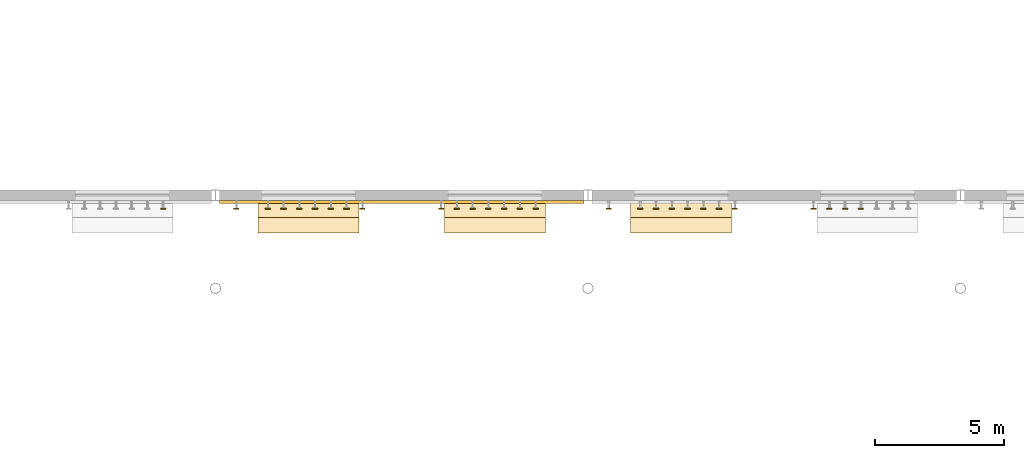
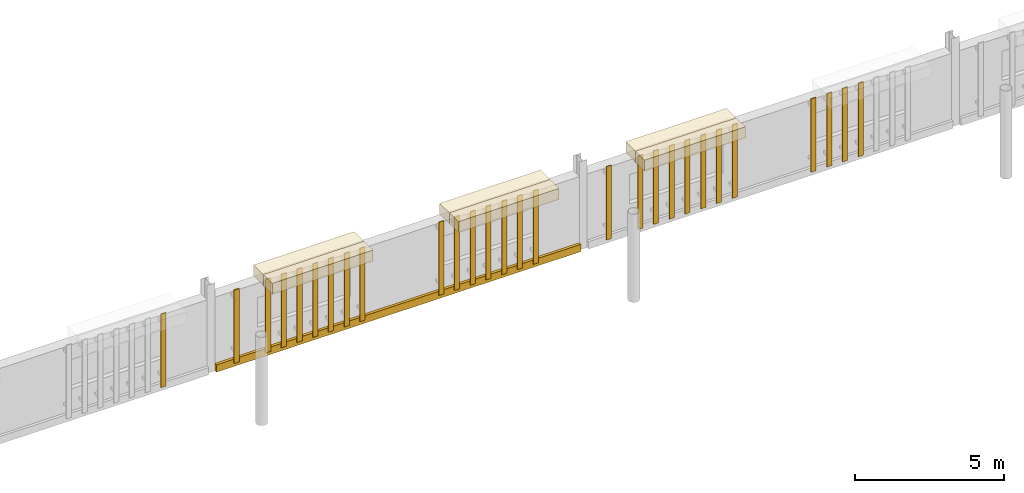
# One storey, part 112 of 124: 28 shading devices, 7 coverings.
"""IFC4 building model written with IfcOpenShell, lengths in metres."""

from ifc_helpers import new_model, si_unit, direction, frame, origin, origin_2d, place, context, subcontext, project, spatial, rectangle, extrude, material, layer, layer_set, type_object, element, save


model = new_model("IFC4")

# Units and contexts
model_context = context("Model", 3, precision=1e-05, world=origin(), true_north=direction((0.0, 1.0)))
body_context = subcontext(model_context, "Body", "Model", "MODEL_VIEW")
ifc_project = project(units=[si_unit("LENGTHUNIT", "METRE"), si_unit("AREAUNIT", "SQUARE_METRE"), si_unit("VOLUMEUNIT", "CUBIC_METRE"), si_unit("PLANEANGLEUNIT", "RADIAN"), si_unit("MASSUNIT", "GRAM", prefix="KILO")], contexts=[model_context])

# Site, building, storey
site_placement = place(None, origin())
site = spatial("IfcSite", under=ifc_project, at=site_placement, CompositionType="ELEMENT")
building_placement = place(site_placement, origin())
building = spatial("IfcBuilding", under=site, at=building_placement, Name="Kupolbacken Congress Centre", CompositionType="ELEMENT")
storey_placement = place(building_placement, frame((0.0, 0.0, 10.800048828125)))
storey = spatial("IfcBuildingStorey", under=building, at=storey_placement, Name="L03", CompositionType="ELEMENT", Elevation=10.800048828125)

# Coverings
ifc_material_1 = material(Name="Brick cladding", Category="masonry")
ifc_layer_1 = layer(ifc_material_1, 0.10791015625)
ifc_layer_set_1 = layer_set([ifc_layer_1], Name="Brick cladding")
covering_type_1 = type_object("IfcCoveringType", Name="CV2 brick cladding band 108", PredefinedType="CLADDING", material=ifc_layer_set_1)
covering_1_placement = place(storey_placement, frame((144.0, 42.93603515625, 0.0), z_axis=(0.0, 0.0, 1.0), x_axis=(1.0, 0.0, 0.0)))
element("IfcCovering", 1, at=covering_1_placement, inside=storey, type_object=covering_type_1, Name="E/H/S/L03/366/band", PredefinedType="CLADDING", context=body_context, shape_type="SweptSolid", body=[
    extrude(rectangle(XDim=14.10009765625, YDim=0.10791015625, at=origin_2d()), origin(), (0.0, 0.0, 1.0), 0.300048828125),
])
ifc_material_2 = material(Name="Limestone cladding", Category="masonry")
ifc_layer_2 = layer(ifc_material_2, 0.60009765625)
ifc_layer_set_2 = layer_set([ifc_layer_2], Name="Limestone cladding")
covering_type_2 = type_object("IfcCoveringType", Name="CV5 limestone arcade pier 600", PredefinedType="CLADDING", material=ifc_layer_set_2)
covering_2_placement = place(storey_placement, frame((140.39990234375, 42.6650390625, 3.35009765625), z_axis=(0.0, 0.0, 1.0), x_axis=(1.0, 0.0, 0.0)))
element("IfcCovering", 2, at=covering_2_placement, inside=storey, type_object=covering_type_2, Name="F/HR/H/S/fin/07/1/a", PredefinedType="CLADDING", context=body_context, shape_type="SweptSolid", body=[
    extrude(rectangle(XDim=3.89990234375, YDim=0.64990234375, at=origin_2d()), origin(), (0.0, 0.0, 1.0), 0.449951171875),
])
covering_3_placement = place(storey_placement, frame((140.39990234375, 42.0400390625, 3.35009765625), z_axis=(0.0, 0.0, 1.0), x_axis=(1.0, 0.0, 0.0)))
element("IfcCovering", 3, at=covering_3_placement, inside=storey, type_object=covering_type_2, Name="F/HR/H/S/fin/07/1/b", PredefinedType="CLADDING", context=body_context, shape_type="SweptSolid", body=[
    extrude(rectangle(XDim=3.89990234375, YDim=0.60009765625, at=origin_2d()), origin(), (0.0, 0.0, 1.0), 0.449951171875),
])
covering_4_placement = place(storey_placement, frame((147.60009765625, 42.6650390625, 3.35009765625), z_axis=(0.0, 0.0, 1.0), x_axis=(1.0, 0.0, 0.0)))
element("IfcCovering", 4, at=covering_4_placement, inside=storey, type_object=covering_type_2, Name="F/HR/H/S/fin/08/1/a", PredefinedType="CLADDING", context=body_context, shape_type="SweptSolid", body=[
    extrude(rectangle(XDim=3.89990234375, YDim=0.64990234375, at=origin_2d()), origin(), (0.0, 0.0, 1.0), 0.449951171875),
])
covering_5_placement = place(storey_placement, frame((147.60009765625, 42.0400390625, 3.35009765625), z_axis=(0.0, 0.0, 1.0), x_axis=(1.0, 0.0, 0.0)))
element("IfcCovering", 5, at=covering_5_placement, inside=storey, type_object=covering_type_2, Name="F/HR/H/S/fin/08/1/b", PredefinedType="CLADDING", context=body_context, shape_type="SweptSolid", body=[
    extrude(rectangle(XDim=3.89990234375, YDim=0.60009765625, at=origin_2d()), origin(), (0.0, 0.0, 1.0), 0.449951171875),
])
covering_6_placement = place(storey_placement, frame((154.800048828125, 42.6650390625, 3.35009765625), z_axis=(0.0, 0.0, 1.0), x_axis=(1.0, 0.0, 0.0)))
element("IfcCovering", 6, at=covering_6_placement, inside=storey, type_object=covering_type_2, Name="F/HR/H/S/fin/09/1/a", PredefinedType="CLADDING", context=body_context, shape_type="SweptSolid", body=[
    extrude(rectangle(XDim=3.89990234375, YDim=0.64990234375, at=origin_2d()), origin(), (0.0, 0.0, 1.0), 0.449951171875),
])
covering_7_placement = place(storey_placement, frame((154.800048828125, 42.0400390625, 3.35009765625), z_axis=(0.0, 0.0, 1.0), x_axis=(1.0, 0.0, 0.0)))
element("IfcCovering", 7, at=covering_7_placement, inside=storey, type_object=covering_type_2, Name="F/HR/H/S/fin/09/1/b", PredefinedType="CLADDING", context=body_context, shape_type="SweptSolid", body=[
    extrude(rectangle(XDim=3.89990234375, YDim=0.60009765625, at=origin_2d()), origin(), (0.0, 0.0, 1.0), 0.449951171875),
])

# Shading devices
ifc_material_3 = material(Name="Aluminium alloy louvre", Category="aluminium")
ifc_layer_3 = layer(ifc_material_3, 0.030029296875)
ifc_layer_set_3 = layer_set([ifc_layer_3], Name="Aluminium alloy louvre")
shading_device_type = type_object("IfcShadingDeviceType", Name="SC1 louvre blade 30 x 200", PredefinedType="JALOUSIE", material=ifc_layer_set_3)
for number, where, z_axis, x_axis, name in (
    (8, (134.77734375, 42.675048828125, 0.300048828125), (0.0, 0.0, 1.0), (1.0, 0.0, 0.0), "E/brise/S/L03/365/B20"),
    (9, (137.6044921875, 42.675048828125, 0.300048828125), (0.0, 0.0, 1.0), (1.0, 0.0, 0.0), "E/brise/S/L03/366/B01"),
    (10, (138.82275390625, 42.675048828125, 0.300048828125), (0.0, 0.0, 1.0), (1.0, 0.0, 0.0), "E/brise/S/L03/366/B03"),
    (11, (139.431884765625, 42.675048828125, 0.300048828125), (0.0, 0.0, 1.0), (1.0, 0.0, 0.0), "E/brise/S/L03/366/B04"),
    (12, (140.041015625, 42.675048828125, 0.300048828125), (0.0, 0.0, 1.0), (1.0, 0.0, 0.0), "E/brise/S/L03/366/B05"),
    (13, (140.64990234375, 42.675048828125, 0.300048828125), (0.0, 0.0, 1.0), (1.0, 0.0, 0.0), "E/brise/S/L03/366/B06"),
    (14, (141.259033203125, 42.675048828125, 0.300048828125), (0.0, 0.0, 1.0), (1.0, 0.0, 0.0), "E/brise/S/L03/366/B07"),
    (15, (141.8681640625, 42.675048828125, 0.300048828125), (0.0, 0.0, 1.0), (1.0, 0.0, 0.0), "E/brise/S/L03/366/B08"),
    (16, (142.477294921875, 42.675048828125, 0.300048828125), (0.0, 0.0, 1.0), (1.0, 0.0, 0.0), "E/brise/S/L03/366/B09"),
    (17, (145.522705078125, 42.675048828125, 0.300048828125), (0.0, 0.0, 1.0), (1.0, 0.0, 0.0), "E/brise/S/L03/366/B14"),
    (18, (146.1318359375, 42.675048828125, 0.300048828125), (0.0, 0.0, 1.0), (1.0, 0.0, 0.0), "E/brise/S/L03/366/B15"),
    (19, (146.740966796875, 42.675048828125, 0.300048828125), (0.0, 0.0, 1.0), (1.0, 0.0, 0.0), "E/brise/S/L03/366/B16"),
    (20, (147.35009765625, 42.675048828125, 0.300048828125), (0.0, 0.0, 1.0), (1.0, 0.0, 0.0), "E/brise/S/L03/366/B17"),
    (21, (147.958984375, 42.675048828125, 0.300048828125), (0.0, 0.0, 1.0), (1.0, 0.0, 0.0), "E/brise/S/L03/366/B18"),
    (22, (148.568115234375, 42.675048828125, 0.300048828125), (0.0, 0.0, 1.0), (1.0, 0.0, 0.0), "E/brise/S/L03/366/B19"),
    (23, (149.17724609375, 42.675048828125, 0.300048828125), (0.0, 0.0, 1.0), (1.0, 0.0, 0.0), "E/brise/S/L03/366/B20"),
    (24, (152.004638671875, 42.675048828125, 0.300048828125), (0.0, 0.0, 1.0), (1.0, 0.0, 0.0), "E/brise/S/L03/367/B01"),
    (25, (153.22265625, 42.675048828125, 0.300048828125), (0.0, 0.0, 1.0), (1.0, 0.0, 0.0), "E/brise/S/L03/367/B03"),
    (26, (153.831787109375, 42.675048828125, 0.300048828125), (0.0, 0.0, 1.0), (1.0, 0.0, 0.0), "E/brise/S/L03/367/B04"),
    (27, (154.44091796875, 42.675048828125, 0.300048828125), (0.0, 0.0, 1.0), (1.0, 0.0, 0.0), "E/brise/S/L03/367/B05"),
    (28, (155.050048828125, 42.675048828125, 0.300048828125), (0.0, 0.0, 1.0), (1.0, 0.0, 0.0), "E/brise/S/L03/367/B06"),
    (29, (155.6591796875, 42.675048828125, 0.300048828125), (0.0, 0.0, 1.0), (1.0, 0.0, 0.0), "E/brise/S/L03/367/B07"),
    (30, (156.26806640625, 42.675048828125, 0.300048828125), (0.0, 0.0, 1.0), (1.0, 0.0, 0.0), "E/brise/S/L03/367/B08"),
    (31, (156.877197265625, 42.675048828125, 0.300048828125), (0.0, 0.0, 1.0), (1.0, 0.0, 0.0), "E/brise/S/L03/367/B09"),
    (32, (159.922607421875, 42.675048828125, 0.300048828125), (0.0, 0.0, 1.0), (1.0, 0.0, 0.0), "E/brise/S/L03/367/B14"),
    (33, (160.53173828125, 42.675048828125, 0.300048828125), (0.0, 0.0, 1.0), (1.0, 0.0, 0.0), "E/brise/S/L03/367/B15"),
    (34, (161.140869140625, 42.675048828125, 0.300048828125), (0.0, 0.0, 1.0), (1.0, 0.0, 0.0), "E/brise/S/L03/367/B16"),
    (35, (161.75, 42.675048828125, 0.300048828125), (0.0, 0.0, 1.0), (1.0, 0.0, 0.0), "E/brise/S/L03/367/B17"),
):
    element("IfcShadingDevice", number, at=place(storey_placement, frame(where, z_axis=z_axis, x_axis=x_axis)), inside=storey, type_object=shading_device_type, Name=name, PredefinedType="JALOUSIE", context=body_context, shape_type="SweptSolid", body=[
        extrude(rectangle(XDim=0.199951171875, YDim=0.030029296875, at=origin_2d()), origin(), (0.0, 0.0, 1.0), 3.0),
    ])

save(model, "model.ifc")
